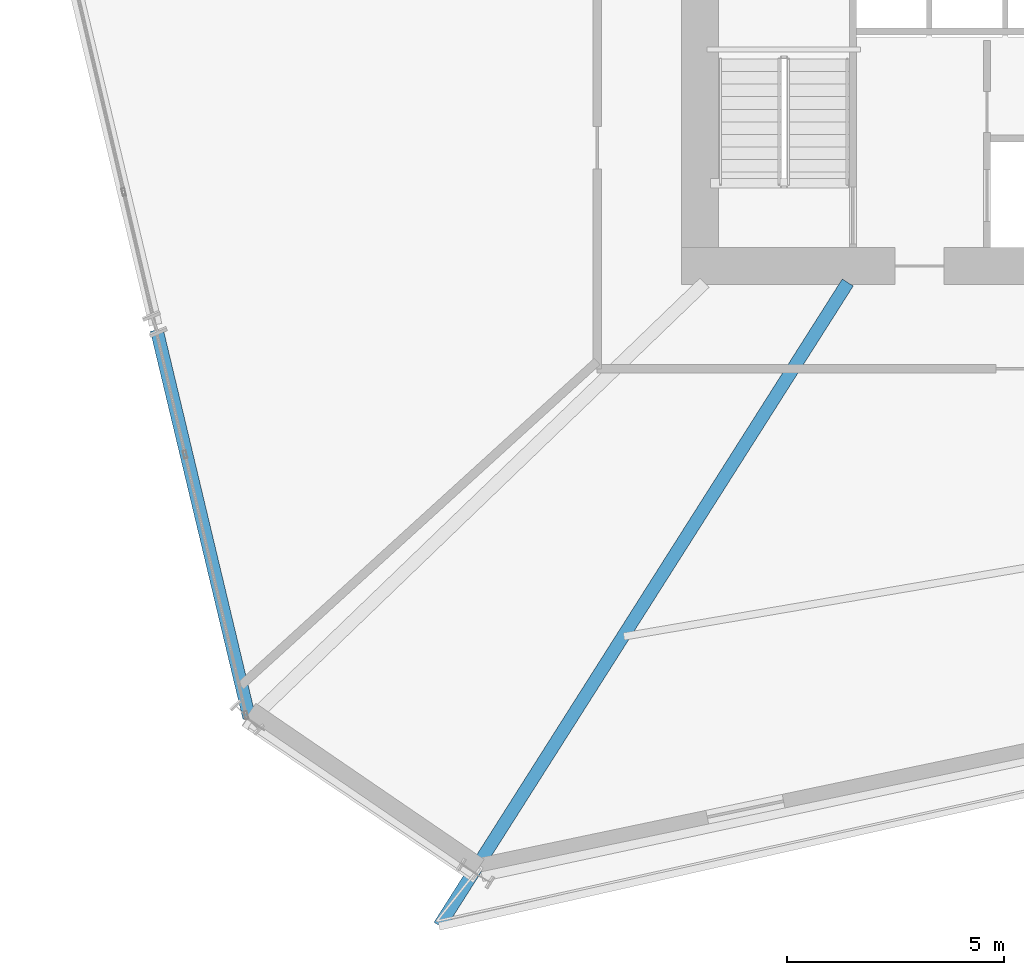
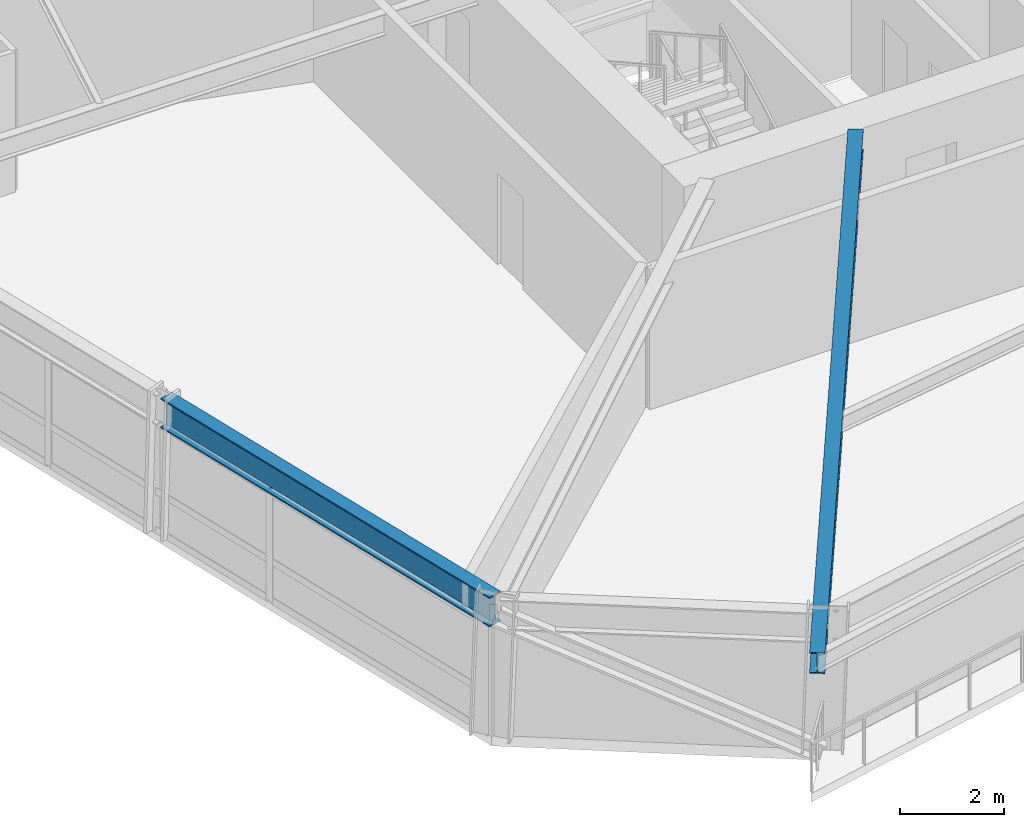
# One storey, part 3 of 24: 2 beams.
"""IFC4 building model written with IfcOpenShell, lengths in metres."""

from ifc_helpers import new_model, si_unit, direction, frame, origin, origin_2d, place, context, subcontext, project, spatial, i_section, extrude, source, transform, mapped, material, material_profile, profile_set, type_object, element, save


model = new_model("IFC4")

# Units and contexts
model_context = context("Model", 3, precision=1e-05, world=origin(), true_north=direction((0.0, 1.0)))
body_context = subcontext(model_context, "Body", "Model", "MODEL_VIEW")
ifc_project = project(units=[si_unit("LENGTHUNIT", "METRE"), si_unit("AREAUNIT", "SQUARE_METRE"), si_unit("VOLUMEUNIT", "CUBIC_METRE"), si_unit("PLANEANGLEUNIT", "RADIAN"), si_unit("MASSUNIT", "GRAM", prefix="KILO")], contexts=[model_context])

# Site, building, storey
site_placement = place(None, origin())
site = spatial("IfcSite", under=ifc_project, at=site_placement, CompositionType="ELEMENT")
building_placement = place(site_placement, origin())
building = spatial("IfcBuilding", under=site, at=building_placement, Name="Olszyna Solenne Hotel", CompositionType="ELEMENT")
storey_placement = place(building_placement, frame((0.0, 0.0, 36.39990234375)))
storey = spatial("IfcBuildingStorey", under=building, at=storey_placement, Name="L08", CompositionType="ELEMENT", Elevation=36.39990234375)

# Beams
ifc_material = material(Name="Steel S355J2", Category="steel")
ifc_material_profile_1 = material_profile(ifc_material, i_section(OverallWidth=0.300048828125, OverallDepth=0.699951171875, WebThickness=0.01708984375, FlangeThickness=0.031982421875, at=origin_2d()), Name="HEB 700", Category="load-bearing")
ifc_profile_set_1 = profile_set([ifc_material_profile_1], Name="Steel S355J2")
beam_type_1 = type_object("IfcBeamType", Name="BM-S1", PredefinedType="BEAM", material=ifc_profile_set_1)
shared_shape_1 = source(origin(), body_context, "Body", "SweptSolid", [
    extrude(i_section(OverallWidth=0.300048828125, OverallDepth=0.699951171875, WebThickness=0.01708984375, FlangeThickness=0.031982421875, at=origin_2d()), origin(), (0.0, 0.0, 1.0), 9.208740234375),
])
beam_1_placement = place(storey_placement, frame((17.133544921875, 17.599853515625, 2.9501953125), z_axis=(0.23202910337, -0.972708843997, 0.0), x_axis=(0.972708843997, 0.23202910337, 0.0)))
element("IfcBeam", 1, at=beam_1_placement, inside=storey, type_object=beam_type_1, Name="Perimeter spandrel beam BM-S1 B-L08-0267", PredefinedType="BEAM", context=body_context, shape_type="MappedRepresentation", body=[
    mapped(shared_shape_1, transform((0.0, 0.0, 0.0), x_axis=(1.0, 0.0, 0.0), y_axis=(0.0, 1.0, 0.0), z_axis=(0.0, 0.0, 1.0), scale=1.0)),
])
ifc_material_profile_2 = material_profile(ifc_material, i_section(OverallWidth=0.300048828125, OverallDepth=0.489990234375, WebThickness=0.011962890625, FlangeThickness=0.02294921875, at=origin_2d()), Name="HEA 500", Category="load-bearing")
ifc_profile_set_2 = profile_set([ifc_material_profile_2], Name="Steel S355J2")
beam_type_2 = type_object("IfcBeamType", Name="BM-G1", PredefinedType="BEAM", material=ifc_profile_set_2)
shared_shape_2 = source(origin(), body_context, "Body", "SweptSolid", [
    extrude(i_section(OverallWidth=0.300048828125, OverallDepth=0.489990234375, WebThickness=0.011962890625, FlangeThickness=0.02294921875, at=origin_2d()), origin(), (0.0, 0.0, 1.0), 17.583984375),
])
beam_2_placement = place(storey_placement, frame((23.66015625, 3.846923828125, 3.05517578125), z_axis=(0.53593274213, 0.84426068007, 0.0), x_axis=(-0.84426068007, 0.53593274213, 0.0)))
element("IfcBeam", 2, at=beam_2_placement, inside=storey, type_object=beam_type_2, Name="Radial floor girder BM-G1 B-L08-0279", PredefinedType="BEAM", context=body_context, shape_type="MappedRepresentation", body=[
    mapped(shared_shape_2, transform((0.0, 0.0, 0.0), x_axis=(1.0, 0.0, 0.0), y_axis=(0.0, 1.0, 0.0), z_axis=(0.0, 0.0, 1.0), scale=1.0)),
])

save(model, "model.ifc")
